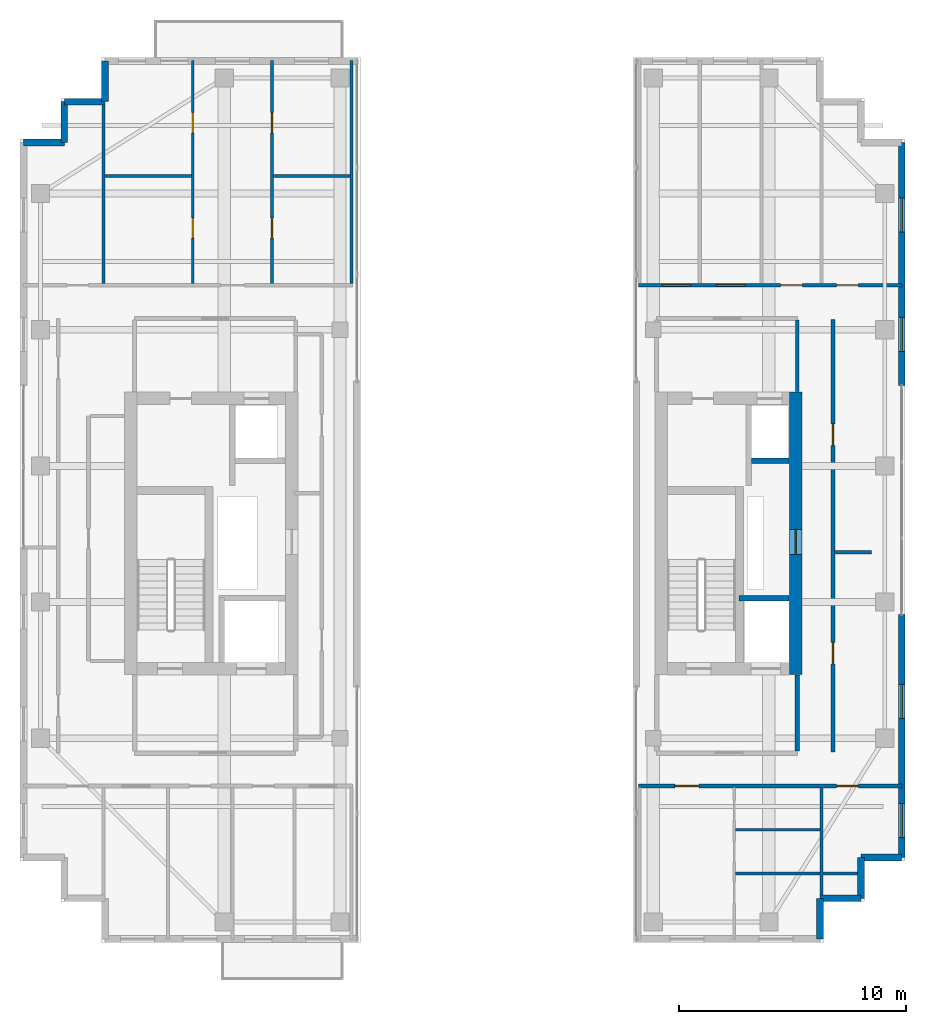
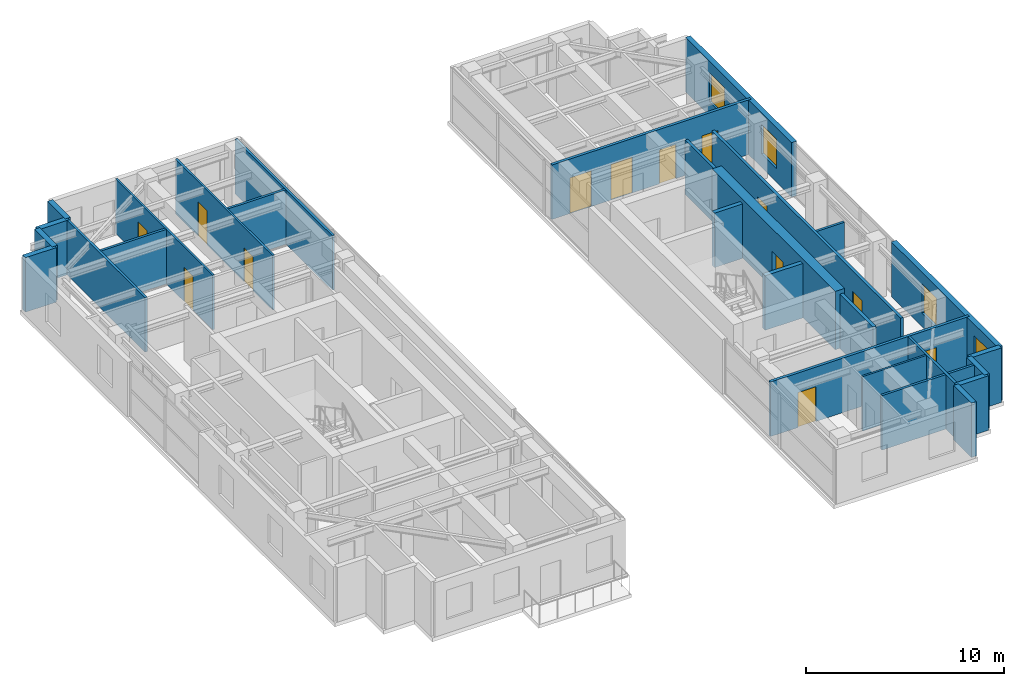
# One storey, part 19 of 22: 28 walls, 13 doors, 4 windows, 17 openings.
"""IFC4 building model written with IfcOpenShell, lengths in metres."""

from ifc_helpers import new_model, si_unit, direction, frame, frame_2d, origin, place, context, subcontext, project, spatial, rectangle, extrude, source, transform, mapped, material, layer, layer_set, type_object, element, fill, save


model = new_model("IFC4")

# Units and contexts
model_context = context("Model", 3, precision=1e-05, world=origin(), true_north=direction((0.0, 1.0)))
body_context = subcontext(model_context, "Body", "Model", "MODEL_VIEW")
ifc_project = project(units=[si_unit("LENGTHUNIT", "METRE"), si_unit("AREAUNIT", "SQUARE_METRE"), si_unit("VOLUMEUNIT", "CUBIC_METRE"), si_unit("PLANEANGLEUNIT", "RADIAN"), si_unit("MASSUNIT", "GRAM", prefix="KILO")], contexts=[model_context])

# Site, building, storey
site_placement = place(None, origin())
site = spatial("IfcSite", under=ifc_project, at=site_placement, CompositionType="ELEMENT")
building_placement = place(site_placement, origin())
building = spatial("IfcBuilding", under=site, at=building_placement, Name="Khoralis Quay Care Tower", CompositionType="ELEMENT")
storey_placement = place(building_placement, frame((0.0, 0.0, 260.10009765625)))
storey = spatial("IfcBuildingStorey", under=building, at=storey_placement, Name="L68", CompositionType="ELEMENT", Elevation=260.10009765625)

# Wall
ifc_material_1 = material(Name="Gypsum plasterboard on acoustic metal stud")
ifc_layer_1 = layer(ifc_material_1, 0.199951171875)
ifc_layer_set_1 = layer_set([ifc_layer_1], Name="Gypsum plasterboard on acoustic metal stud")
wall_type_1 = type_object("IfcWallType", Name="WL-COMP-200", PredefinedType="PARTITIONING", material=ifc_layer_set_1)
wall_1_placement = place(storey_placement, frame((37.25, 11.445068359375, 0.0), z_axis=(0.0, 0.0, 1.0), x_axis=(0.0, 1.0, 0.0)))
element("IfcWall", 1, at=wall_1_placement, inside=storey, type_object=wall_type_1, Name="L68 East Firefighting Lobby East Wall", PredefinedType="PARTITIONING", context=body_context, shape_type="SweptSolid", body=[
    extrude(rectangle(XDim=3.3349609375, YDim=0.199951171875, at=frame_2d((1.66748046875, 0.0))), origin(), (0.0, 0.0, 1.0), 3.35986328125),
])

# Wall, opening, door
ifc_material_2 = material(Name="Concrete C65/80", Category="concrete")
ifc_layer_2 = layer(ifc_material_2, 0.550048828125)
ifc_layer_set_2 = layer_set([ifc_layer_2], Name="Concrete C65/80")
wall_type_2 = type_object("IfcWallType", Name="WL-CORE-550", PredefinedType="SHEAR", material=ifc_layer_set_2)
wall_2_placement = place(storey_placement, frame((37.175048828125, 14.800048828125, 0.0), z_axis=(0.0, 0.0, 1.0), x_axis=(0.0, 1.0, 0.0)))
wall_2 = element("IfcWall", 2, at=wall_2_placement, inside=storey, type_object=wall_type_2, Name="L68 ECORE East Shear Wall", PredefinedType="SHEAR", context=body_context, shape_type="SweptSolid", body=[
    extrude(rectangle(XDim=12.449951171875, YDim=0.550048828125, at=frame_2d((6.22509765625, 0.0))), origin(), (0.0, 0.0, 1.0), 3.599853515625),
])
opening_1_placement = place(wall_2_placement, frame((5.300048828125, 0.0, 0.0)))
opening_1 = element("IfcOpeningElement", 3, at=opening_1_placement, cuts=wall_2, Name="Opening SD1", PredefinedType="OPENING", context=body_context, shape_type="SweptSolid", body=[
    extrude(rectangle(XDim=1.10009765625, YDim=2.199951171875, at=frame_2d((0.550048828125, 1.10009765625))), frame((0.0, 0.28515625, 0.0), z_axis=(0.0, -1.0, 0.0), x_axis=(1.0, 0.0, 0.0)), (0.0, 0.0, 1.0), 0.570068359375),
])
ifc_material_3 = material(Name="Fire-rated painted steel", Category="steel")
door_type_1 = type_object("IfcDoorType", Name="DR-STAIR-1100X2200", OperationType="NOTDEFINED", PredefinedType="DOOR", material=ifc_material_3)
shared_shape_1 = source(origin(), body_context, "Body", "SweptSolid", [
    extrude(rectangle(XDim=1.10009765625, YDim=2.199951171875, at=frame_2d((0.550048828125, 1.10009765625))), frame((0.0, 0.02490234375, 0.0), z_axis=(0.0, -1.0, 0.0), x_axis=(1.0, 0.0, 0.0)), (0.0, 0.0, 1.0), 0.050048828125),
])
door_1_placement = place(opening_1_placement, frame((1.10009765625, 0.0, 0.0), z_axis=(0.0, 0.0, 1.0), x_axis=(-1.0, 0.0, 0.0)))
door_1 = element("IfcDoor", 4, at=door_1_placement, inside=storey, type_object=door_type_1, Name="L68 East MEP Riser Door", OperationType="SINGLE_SWING_LEFT", OverallHeight=2.199951171875, OverallWidth=1.10009765625, PredefinedType="DOOR", context=body_context, shape_type="MappedRepresentation", body=[
    mapped(shared_shape_1, transform((0.0, 0.0, 0.0), scale=1.0)),
])
fill(opening_1, door_1)

# Wall
ifc_layer_3 = layer(ifc_material_1, 0.1650390625)
ifc_layer_set_3 = layer_set([ifc_layer_3], Name="Gypsum plasterboard on acoustic metal stud")
wall_type_3 = type_object("IfcWallType", Name="WL-CORR-165", PredefinedType="PARTITIONING", material=ifc_layer_set_3)
wall_3_placement = place(storey_placement, frame((37.25, 27.27001953125, 0.0), z_axis=(0.0, 0.0, 1.0), x_axis=(0.0, 1.0, 0.0)))
element("IfcWall", 5, at=wall_3_placement, inside=storey, type_object=wall_type_3, Name="L68 East Lift Lobby East Wall", PredefinedType="PARTITIONING", context=body_context, shape_type="SweptSolid", body=[
    extrude(rectangle(XDim=3.152587890625, YDim=0.1650390625, at=frame_2d((1.576171875, 0.0))), origin(), (0.0, 0.0, 1.0), 3.35986328125),
])

# Wall, openings, doors
wall_4_placement = place(storey_placement, frame((30.25, 9.89990234375, 0.0), z_axis=(0.0, 0.0, 1.0), x_axis=(1.0, 0.0, 0.0)))
wall_4 = element("IfcWall", 6, at=wall_4_placement, inside=storey, type_object=wall_type_3, Name="L68 East Wing South Corridor Wall", PredefinedType="PARTITIONING", context=body_context, shape_type="SweptSolid", body=[
    extrude(rectangle(XDim=11.60498046875, YDim=0.1650390625, at=frame_2d((5.802490234375, 0.0))), origin(), (0.0, 0.0, 1.0), 3.35986328125),
])
opening_2_placement = place(wall_4_placement, frame((1.610107421875, 0.0, 0.0)))
opening_2 = element("IfcOpeningElement", 7, at=opening_2_placement, cuts=wall_4, Name="Opening UD1", PredefinedType="OPENING", context=body_context, shape_type="SweptSolid", body=[
    extrude(rectangle(XDim=1.050048828125, YDim=2.14990234375, at=frame_2d((0.52490234375, 1.074951171875))), frame((0.0, 0.092529296875, 0.0), z_axis=(0.0, -1.0, 0.0), x_axis=(1.0, 0.0, 0.0)), (0.0, 0.0, 1.0), 0.18505859375),
])
opening_3_placement = place(wall_4_placement, frame((8.735107421875, 0.0, 0.0)))
opening_3 = element("IfcOpeningElement", 8, at=opening_3_placement, cuts=wall_4, Name="Opening ID1", PredefinedType="OPENING", context=body_context, shape_type="SweptSolid", body=[
    extrude(rectangle(XDim=0.949951171875, YDim=2.10009765625, at=frame_2d((0.47509765625, 1.050048828125))), frame((0.0, 0.092529296875, 0.0), z_axis=(0.0, -1.0, 0.0), x_axis=(1.0, 0.0, 0.0)), (0.0, 0.0, 1.0), 0.18505859375),
])
ifc_material_4 = material(Name="Acoustic hardwood timber", Category="wood")
door_type_2 = type_object("IfcDoorType", Name="DR-ROOM-950X2100", OperationType="NOTDEFINED", PredefinedType="DOOR", material=ifc_material_4)
shared_shape_2 = source(origin(), body_context, "Body", "SweptSolid", [
    extrude(rectangle(XDim=0.949951171875, YDim=2.10009765625, at=frame_2d((0.47509765625, 1.050048828125))), frame((0.0, 0.02490234375, 0.0), z_axis=(0.0, -1.0, 0.0), x_axis=(1.0, 0.0, 0.0)), (0.0, 0.0, 1.0), 0.050048828125),
])
door_2_placement = place(opening_3_placement, frame((0.949951171875, 0.0, 0.0), z_axis=(0.0, 0.0, 1.0), x_axis=(-1.0, 0.0, 0.0)))
door_2 = element("IfcDoor", 9, at=door_2_placement, inside=storey, type_object=door_type_2, Name="L68 SE Corner Door", OperationType="SINGLE_SWING_RIGHT", OverallHeight=2.10009765625, OverallWidth=0.949951171875, PredefinedType="DOOR", context=body_context, shape_type="MappedRepresentation", body=[
    mapped(shared_shape_2, transform((0.0, 0.0, 0.0), scale=1.0)),
])
fill(opening_3, door_2)
door_type_3 = type_object("IfcDoorType", Name="DR-SUITE-1050X2150", OperationType="NOTDEFINED", PredefinedType="DOOR", material=ifc_material_4)
shared_shape_3 = source(origin(), body_context, "Body", "SweptSolid", [
    extrude(rectangle(XDim=1.050048828125, YDim=2.14990234375, at=frame_2d((0.52490234375, 1.074951171875))), frame((0.0, 0.02490234375, 0.0), z_axis=(0.0, -1.0, 0.0), x_axis=(1.0, 0.0, 0.0)), (0.0, 0.0, 1.0), 0.050048828125),
])
door_3_placement = place(opening_2_placement, frame((1.050048828125, 0.0, 0.0), z_axis=(0.0, 0.0, 1.0), x_axis=(-1.0, 0.0, 0.0)))
door_3 = element("IfcDoor", 10, at=door_3_placement, inside=storey, type_object=door_type_3, Name="L68 Apartment ES0 Entrance Door", OperationType="SINGLE_SWING_LEFT", OverallHeight=2.14990234375, OverallWidth=1.050048828125, PredefinedType="DOOR", context=body_context, shape_type="MappedRepresentation", body=[
    mapped(shared_shape_3, transform((0.0, 0.0, 0.0), scale=1.0)),
])
fill(opening_2, door_3)

wall_5_placement = place(storey_placement, frame((30.25, 31.9599609375, 0.0), z_axis=(0.0, 0.0, 1.0), x_axis=(1.0, 0.0, 0.0)))
wall_5 = element("IfcWall", 11, at=wall_5_placement, inside=storey, type_object=wall_type_3, Name="L68 East Wing North Corridor Wall", PredefinedType="PARTITIONING", context=body_context, shape_type="SweptSolid", body=[
    extrude(rectangle(XDim=11.60498046875, YDim=0.1650390625, at=frame_2d((5.802490234375, 0.0))), origin(), (0.0, 0.0, 1.0), 3.35986328125),
])
opening_4_placement = place(wall_5_placement, frame((1.050048828125, 0.0, 0.0)))
opening_4 = element("IfcOpeningElement", 12, at=opening_4_placement, cuts=wall_5, Name="Opening CD1", PredefinedType="OPENING", context=body_context, shape_type="SweptSolid", body=[
    extrude(rectangle(XDim=1.25, YDim=2.199951171875, at=frame_2d((0.625, 1.10009765625))), frame((0.0, 0.092529296875, 0.0), z_axis=(0.0, -1.0, 0.0), x_axis=(1.0, 0.0, 0.0)), (0.0, 0.0, 1.0), 0.18505859375),
])
opening_5_placement = place(wall_5_placement, frame((3.43505859375, 0.0, 0.0)))
opening_5 = element("IfcOpeningElement", 13, at=opening_5_placement, cuts=wall_5, Name="Opening CD1", PredefinedType="OPENING", context=body_context, shape_type="SweptSolid", body=[
    extrude(rectangle(XDim=1.25, YDim=2.199951171875, at=frame_2d((0.625, 1.10009765625))), frame((0.0, 0.092529296875, 0.0), z_axis=(0.0, -1.0, 0.0), x_axis=(1.0, 0.0, 0.0)), (0.0, 0.0, 1.0), 0.18505859375),
])
opening_6_placement = place(wall_5_placement, frame((6.27001953125, 0.0, 0.0)))
opening_6 = element("IfcOpeningElement", 14, at=opening_6_placement, cuts=wall_5, Name="Opening ID1", PredefinedType="OPENING", context=body_context, shape_type="SweptSolid", body=[
    extrude(rectangle(XDim=0.949951171875, YDim=2.10009765625, at=frame_2d((0.47509765625, 1.050048828125))), frame((0.0, 0.092529296875, 0.0), z_axis=(0.0, -1.0, 0.0), x_axis=(1.0, 0.0, 0.0)), (0.0, 0.0, 1.0), 0.18505859375),
])
opening_7_placement = place(wall_5_placement, frame((8.735107421875, 0.0, 0.0)))
opening_7 = element("IfcOpeningElement", 15, at=opening_7_placement, cuts=wall_5, Name="Opening ID1", PredefinedType="OPENING", context=body_context, shape_type="SweptSolid", body=[
    extrude(rectangle(XDim=0.949951171875, YDim=2.10009765625, at=frame_2d((0.47509765625, 1.050048828125))), frame((0.0, 0.092529296875, 0.0), z_axis=(0.0, -1.0, 0.0), x_axis=(1.0, 0.0, 0.0)), (0.0, 0.0, 1.0), 0.18505859375),
])
door_type_4 = type_object("IfcDoorType", Name="DR-CARE-1250X2200", OperationType="NOTDEFINED", PredefinedType="DOOR", material=ifc_material_4)
shared_shape_4 = source(origin(), body_context, "Body", "SweptSolid", [
    extrude(rectangle(XDim=1.25, YDim=2.199951171875, at=frame_2d((0.625, 1.10009765625))), frame((0.0, 0.02490234375, 0.0), z_axis=(0.0, -1.0, 0.0), x_axis=(1.0, 0.0, 0.0)), (0.0, 0.0, 1.0), 0.050048828125),
])
door_4_placement = place(opening_4_placement, origin())
door_4 = element("IfcDoor", 16, at=door_4_placement, inside=storey, type_object=door_type_4, Name="L68 Physiotherapy Treatment Clinic Door", OperationType="SINGLE_SWING_LEFT", OverallHeight=2.199951171875, OverallWidth=1.25, PredefinedType="DOOR", context=body_context, shape_type="MappedRepresentation", body=[
    mapped(shared_shape_4, transform((0.0, 0.0, 0.0), scale=1.0)),
])
fill(opening_4, door_4)
door_5_placement = place(opening_5_placement, origin())
door_5 = element("IfcDoor", 17, at=door_5_placement, inside=storey, type_object=door_type_4, Name="L68 Geriatric Consultation Clinic Door", OperationType="SINGLE_SWING_RIGHT", OverallHeight=2.199951171875, OverallWidth=1.25, PredefinedType="DOOR", context=body_context, shape_type="MappedRepresentation", body=[
    mapped(shared_shape_4, transform((0.0, 0.0, 0.0), scale=1.0)),
])
fill(opening_5, door_5)
door_6_placement = place(opening_6_placement, origin())
door_6 = element("IfcDoor", 18, at=door_6_placement, inside=storey, type_object=door_type_2, Name="L68 Care Coordination Office Door", OperationType="SINGLE_SWING_RIGHT", OverallHeight=2.10009765625, OverallWidth=0.949951171875, PredefinedType="DOOR", context=body_context, shape_type="MappedRepresentation", body=[
    mapped(shared_shape_2, transform((0.0, 0.0, 0.0), scale=1.0)),
])
fill(opening_6, door_6)
door_7_placement = place(opening_7_placement, origin())
door_7 = element("IfcDoor", 19, at=door_7_placement, inside=storey, type_object=door_type_2, Name="L68 NE Corner Door", OperationType="SINGLE_SWING_LEFT", OverallHeight=2.10009765625, OverallWidth=0.949951171875, PredefinedType="DOOR", context=body_context, shape_type="MappedRepresentation", body=[
    mapped(shared_shape_2, transform((0.0, 0.0, 0.0), scale=1.0)),
])
fill(opening_7, door_7)

wall_6_placement = place(storey_placement, frame((38.820068359375, 11.39990234375, 0.0), z_axis=(0.0, 0.0, 1.0), x_axis=(0.0, 1.0, 0.0)))
wall_6 = element("IfcWall", 20, at=wall_6_placement, inside=storey, type_object=wall_type_3, Name="L68 East High-Rise Suite Wall", PredefinedType="PARTITIONING", context=body_context, shape_type="SweptSolid", body=[
    extrude(rectangle(XDim=19.050048828125, YDim=0.1650390625, at=frame_2d((9.52490234375, 0.0))), origin(), (0.0, 0.0, 1.0), 3.35986328125),
])
opening_8_placement = place(wall_6_placement, frame((3.875, 0.0, 0.0)))
opening_8 = element("IfcOpeningElement", 21, at=opening_8_placement, cuts=wall_6, Name="Opening ID1", PredefinedType="OPENING", context=body_context, shape_type="SweptSolid", body=[
    extrude(rectangle(XDim=0.949951171875, YDim=2.10009765625, at=frame_2d((0.47509765625, 1.050048828125))), frame((0.0, 0.092529296875, 0.0), z_axis=(0.0, -1.0, 0.0), x_axis=(1.0, 0.0, 0.0)), (0.0, 0.0, 1.0), 0.18505859375),
])
opening_9_placement = place(wall_6_placement, frame((13.5, 0.0, 0.0)))
opening_9 = element("IfcOpeningElement", 22, at=opening_9_placement, cuts=wall_6, Name="Opening ID1", PredefinedType="OPENING", context=body_context, shape_type="SweptSolid", body=[
    extrude(rectangle(XDim=0.949951171875, YDim=2.10009765625, at=frame_2d((0.47509765625, 1.050048828125))), frame((0.0, 0.092529296875, 0.0), z_axis=(0.0, -1.0, 0.0), x_axis=(1.0, 0.0, 0.0)), (0.0, 0.0, 1.0), 0.18505859375),
])
door_8_placement = place(opening_8_placement, origin())
door_8 = element("IfcDoor", 23, at=door_8_placement, inside=storey, type_object=door_type_2, Name="L68 East High-Rise Sun Lounge Door", OperationType="SINGLE_SWING_LEFT", OverallHeight=2.10009765625, OverallWidth=0.949951171875, PredefinedType="DOOR", context=body_context, shape_type="MappedRepresentation", body=[
    mapped(shared_shape_2, transform((0.0, 0.0, 0.0), scale=1.0)),
])
fill(opening_8, door_8)
door_9_placement = place(opening_9_placement, origin())
door_9 = element("IfcDoor", 24, at=door_9_placement, inside=storey, type_object=door_type_2, Name="L68 East High-Rise Reading Suite Door", OperationType="SINGLE_SWING_RIGHT", OverallHeight=2.10009765625, OverallWidth=0.949951171875, PredefinedType="DOOR", context=body_context, shape_type="MappedRepresentation", body=[
    mapped(shared_shape_2, transform((0.0, 0.0, 0.0), scale=1.0)),
])
fill(opening_9, door_9)

# Walls
ifc_material_5 = material(Name="Precast concrete C45/55", Category="concrete")
ifc_layer_4 = layer(ifc_material_5, 0.300048828125)
ifc_layer_set_4 = layer_set([ifc_layer_4], Name="Precast concrete C45/55")
wall_type_4 = type_object("IfcWallType", Name="WL-EXT-REF-300", PredefinedType="SOLIDWALL", material=ifc_layer_set_4)
for number, where, z_axis, x_axis, name in (
    (25, (6.75, 41.85009765625, 0.0), (0.0, 0.0, 1.0), (0.0, -1.0, 0.0), "L68 External Facade Wall WL-EXT-L68-P1-C3"),
    (26, (6.75, 40.050048828125, 0.0), (0.0, 0.0, 1.0), (-1.0, 0.0, 0.0), "L68 External Facade Wall WL-EXT-L68-P1-C4"),
    (27, (4.949951171875, 40.050048828125, 0.0), (0.0, 0.0, 1.0), (0.0, -1.0, 0.0), "L68 External Facade Wall WL-EXT-L68-P1-C5"),
    (28, (4.949951171875, 38.25, 0.0), (0.0, 0.0, 1.0), (-1.0, 0.0, 0.0), "L68 External Facade Wall WL-EXT-L68-P1-C6"),
    (29, (38.25, 3.14990234375, 0.0), (0.0, 0.0, 1.0), (0.0, 1.0, 0.0), "L68 External Facade Wall WL-EXT-L68-P2-C1"),
    (30, (38.25, 4.949951171875, 0.0), (0.0, 0.0, 1.0), (1.0, 0.0, 0.0), "L68 External Facade Wall WL-EXT-L68-P2-C2"),
    (31, (40.050048828125, 4.949951171875, 0.0), (0.0, 0.0, 1.0), (0.0, 1.0, 0.0), "L68 External Facade Wall WL-EXT-L68-P2-C3"),
    (32, (40.050048828125, 6.75, 0.0), (0.0, 0.0, 1.0), (1.0, 0.0, 0.0), "L68 External Facade Wall WL-EXT-L68-P2-C4"),
):
    element("IfcWall", number, at=place(storey_placement, frame(where, z_axis=z_axis, x_axis=x_axis)), inside=storey, type_object=wall_type_4, Name=name, PredefinedType="SOLIDWALL", context=body_context, shape_type="SweptSolid", body=[
        extrude(rectangle(XDim=1.800048828125, YDim=0.300048828125, at=frame_2d((0.89990234375, 0.0))), origin(), (0.0, 0.0, 1.0), 3.35986328125),
    ])

# Wall, openings, windows
wall_7_placement = place(storey_placement, frame((41.85009765625, 6.75, 0.0), z_axis=(0.0, 0.0, 1.0), x_axis=(0.0, 1.0, 0.0)))
wall_7 = element("IfcWall", 33, at=wall_7_placement, inside=storey, type_object=wall_type_4, Name="L68 External Facade Wall WL-EXT-L68-P2-E5A", PredefinedType="SOLIDWALL", context=body_context, shape_type="SweptSolid", body=[
    extrude(rectangle(XDim=10.7099609375, YDim=0.300048828125, at=frame_2d((5.35498046875, 0.0))), origin(), (0.0, 0.0, 1.0), 3.35986328125),
])
opening_10_placement = place(wall_7_placement, frame((0.875, 0.0, 0.85009765625)))
opening_10 = element("IfcOpeningElement", 34, at=opening_10_placement, cuts=wall_7, Name="Opening W3", PredefinedType="OPENING", context=body_context, shape_type="SweptSolid", body=[
    extrude(rectangle(XDim=1.5, YDim=1.800048828125, at=frame_2d((0.75, 0.89990234375))), frame((0.0, 0.16015625, 0.0), z_axis=(0.0, -1.0, 0.0), x_axis=(1.0, 0.0, 0.0)), (0.0, 0.0, 1.0), 0.320068359375),
])
opening_11_placement = place(wall_7_placement, frame((6.1298828125, 0.0, 0.85009765625)))
opening_11 = element("IfcOpeningElement", 35, at=opening_11_placement, cuts=wall_7, Name="Opening W3", PredefinedType="OPENING", context=body_context, shape_type="SweptSolid", body=[
    extrude(rectangle(XDim=1.5, YDim=1.800048828125, at=frame_2d((0.75, 0.89990234375))), frame((0.0, 0.16015625, 0.0), z_axis=(0.0, -1.0, 0.0), x_axis=(1.0, 0.0, 0.0)), (0.0, 0.0, 1.0), 0.320068359375),
])
ifc_material_6 = material(Name="Low-E solar-control double glazing", Category="glass")
window_type = type_object("IfcWindowType", Name="WN-CLIN-1500X1800", PartitioningType="SINGLE_PANEL", PredefinedType="WINDOW", material=ifc_material_6)
shared_shape_5 = source(origin(), body_context, "Body", "SweptSolid", [
    extrude(rectangle(XDim=1.5, YDim=1.800048828125, at=frame_2d((0.75, 0.89990234375))), frame((0.0, 0.030029296875, 0.0), z_axis=(0.0, -1.0, 0.0), x_axis=(1.0, 0.0, 0.0)), (0.0, 0.0, 1.0), 0.06005859375),
])
window_1_placement = place(opening_10_placement, origin())
window_1 = element("IfcWindow", 36, at=window_1_placement, inside=storey, type_object=window_type, Name="WN-L68-P2-E5A Facade Window 01", OverallHeight=1.800048828125, OverallWidth=1.5, PartitioningType="SINGLE_PANEL", PredefinedType="WINDOW", context=body_context, shape_type="MappedRepresentation", body=[
    mapped(shared_shape_5, transform((0.0, 0.0, 0.0), scale=1.0)),
])
fill(opening_10, window_1)
window_2_placement = place(opening_11_placement, origin())
window_2 = element("IfcWindow", 37, at=window_2_placement, inside=storey, type_object=window_type, Name="WN-L68-P2-E5A Facade Window 02", OverallHeight=1.800048828125, OverallWidth=1.5, PartitioningType="SINGLE_PANEL", PredefinedType="WINDOW", context=body_context, shape_type="MappedRepresentation", body=[
    mapped(shared_shape_5, transform((0.0, 0.0, 0.0), scale=1.0)),
])
fill(opening_11, window_2)

wall_8_placement = place(storey_placement, frame((41.85009765625, 27.5400390625, 0.0), z_axis=(0.0, 0.0, 1.0), x_axis=(0.0, 1.0, 0.0)))
wall_8 = element("IfcWall", 38, at=wall_8_placement, inside=storey, type_object=wall_type_4, Name="L68 External Facade Wall WL-EXT-L68-P2-E5B", PredefinedType="SOLIDWALL", context=body_context, shape_type="SweptSolid", body=[
    extrude(rectangle(XDim=10.7099609375, YDim=0.300048828125, at=frame_2d((5.35498046875, 0.0))), origin(), (0.0, 0.0, 1.0), 3.35986328125),
])
opening_12_placement = place(wall_8_placement, frame((1.510009765625, 0.0, 0.85009765625)))
opening_12 = element("IfcOpeningElement", 39, at=opening_12_placement, cuts=wall_8, Name="Opening W3", PredefinedType="OPENING", context=body_context, shape_type="SweptSolid", body=[
    extrude(rectangle(XDim=1.5, YDim=1.800048828125, at=frame_2d((0.75, 0.89990234375))), frame((0.0, 0.16015625, 0.0), z_axis=(0.0, -1.0, 0.0), x_axis=(1.0, 0.0, 0.0)), (0.0, 0.0, 1.0), 0.320068359375),
])
opening_13_placement = place(wall_8_placement, frame((6.764892578125, 0.0, 0.85009765625)))
opening_13 = element("IfcOpeningElement", 40, at=opening_13_placement, cuts=wall_8, Name="Opening W3", PredefinedType="OPENING", context=body_context, shape_type="SweptSolid", body=[
    extrude(rectangle(XDim=1.5, YDim=1.800048828125, at=frame_2d((0.75, 0.89990234375))), frame((0.0, 0.16015625, 0.0), z_axis=(0.0, -1.0, 0.0), x_axis=(1.0, 0.0, 0.0)), (0.0, 0.0, 1.0), 0.320068359375),
])
window_3_placement = place(opening_12_placement, origin())
window_3 = element("IfcWindow", 41, at=window_3_placement, inside=storey, type_object=window_type, Name="WN-L68-P2-E5B Facade Window 01", OverallHeight=1.800048828125, OverallWidth=1.5, PartitioningType="SINGLE_PANEL", PredefinedType="WINDOW", context=body_context, shape_type="MappedRepresentation", body=[
    mapped(shared_shape_5, transform((0.0, 0.0, 0.0), scale=1.0)),
])
fill(opening_12, window_3)
window_4_placement = place(opening_13_placement, origin())
window_4 = element("IfcWindow", 42, at=window_4_placement, inside=storey, type_object=window_type, Name="WN-L68-P2-E5B Facade Window 02", OverallHeight=1.800048828125, OverallWidth=1.5, PartitioningType="SINGLE_PANEL", PredefinedType="WINDOW", context=body_context, shape_type="MappedRepresentation", body=[
    mapped(shared_shape_5, transform((0.0, 0.0, 0.0), scale=1.0)),
])
fill(opening_13, window_4)

# Wall, openings, doors
ifc_layer_5 = layer(ifc_material_1, 0.114990234375)
ifc_layer_set_5 = layer_set([ifc_layer_5], Name="Gypsum plasterboard on acoustic metal stud")
wall_type_5 = type_object("IfcWallType", Name="WL-PART-115", PredefinedType="PARTITIONING", material=ifc_layer_set_5)
wall_9_placement = place(storey_placement, frame((10.611083984375, 32.03759765625, 0.0), z_axis=(0.0, 0.0, 1.0), x_axis=(0.0, 1.0, 0.0)))
wall_9 = element("IfcWall", 43, at=wall_9_placement, inside=storey, type_object=wall_type_5, Name="L68 2BR 0 Left Wall", PredefinedType="PARTITIONING", context=body_context, shape_type="SweptSolid", body=[
    extrude(rectangle(XDim=9.8173828125, YDim=0.114990234375, at=frame_2d((4.90869140625, 0.0))), origin(), (0.0, 0.0, 1.0), 3.35986328125),
])
opening_14_placement = place(wall_9_placement, frame((6.626953125, 0.0, 0.0)))
opening_14 = element("IfcOpeningElement", 44, at=opening_14_placement, cuts=wall_9, Name="Opening WD1", PredefinedType="OPENING", context=body_context, shape_type="SweptSolid", body=[
    extrude(rectangle(XDim=0.89990234375, YDim=2.10009765625, at=frame_2d((0.449951171875, 1.050048828125))), frame((0.0, 0.0673828125, 0.0), z_axis=(0.0, -1.0, 0.0), x_axis=(1.0, 0.0, 0.0)), (0.0, 0.0, 1.0), 0.135009765625),
])
opening_15_placement = place(wall_9_placement, frame((1.9970703125, 0.0, 0.0)))
opening_15 = element("IfcOpeningElement", 45, at=opening_15_placement, cuts=wall_9, Name="Opening WD1", PredefinedType="OPENING", context=body_context, shape_type="SweptSolid", body=[
    extrude(rectangle(XDim=0.89990234375, YDim=2.10009765625, at=frame_2d((0.449951171875, 1.050048828125))), frame((0.0, 0.0673828125, 0.0), z_axis=(0.0, -1.0, 0.0), x_axis=(1.0, 0.0, 0.0)), (0.0, 0.0, 1.0), 0.135009765625),
])
door_type_5 = type_object("IfcDoorType", Name="DR-BATH-900X2100", OperationType="NOTDEFINED", PredefinedType="DOOR", material=ifc_material_4)
shared_shape_6 = source(origin(), body_context, "Body", "SweptSolid", [
    extrude(rectangle(XDim=0.89990234375, YDim=2.10009765625, at=frame_2d((0.449951171875, 1.050048828125))), frame((0.0, 0.02490234375, 0.0), z_axis=(0.0, -1.0, 0.0), x_axis=(1.0, 0.0, 0.0)), (0.0, 0.0, 1.0), 0.050048828125),
])
door_10_placement = place(opening_14_placement, origin())
door_10 = element("IfcDoor", 46, at=door_10_placement, inside=storey, type_object=door_type_5, Name="L68 2BR BD1 Door", OperationType="SINGLE_SWING_RIGHT", OverallHeight=2.10009765625, OverallWidth=0.89990234375, PredefinedType="DOOR", context=body_context, shape_type="MappedRepresentation", body=[
    mapped(shared_shape_6, transform((0.0, 0.0, 0.0), scale=1.0)),
])
fill(opening_14, door_10)
door_11_placement = place(opening_15_placement, origin())
door_11 = element("IfcDoor", 47, at=door_11_placement, inside=storey, type_object=door_type_5, Name="L68 2BR BTH Door", OperationType="SINGLE_SWING_LEFT", OverallHeight=2.10009765625, OverallWidth=0.89990234375, PredefinedType="DOOR", context=body_context, shape_type="MappedRepresentation", body=[
    mapped(shared_shape_6, transform((0.0, 0.0, 0.0), scale=1.0)),
])
fill(opening_15, door_11)

wall_10_placement = place(storey_placement, frame((14.10595703125, 32.03759765625, 0.0), z_axis=(0.0, 0.0, 1.0), x_axis=(0.0, 1.0, 0.0)))
wall_10 = element("IfcWall", 48, at=wall_10_placement, inside=storey, type_object=wall_type_5, Name="L68 2BR 0 Right Wall", PredefinedType="PARTITIONING", context=body_context, shape_type="SweptSolid", body=[
    extrude(rectangle(XDim=9.8173828125, YDim=0.114990234375, at=frame_2d((4.90869140625, 0.0))), origin(), (0.0, 0.0, 1.0), 3.35986328125),
])
opening_16_placement = place(wall_10_placement, frame((6.626953125, 0.0, 0.0)))
opening_16 = element("IfcOpeningElement", 49, at=opening_16_placement, cuts=wall_10, Name="Opening WD1", PredefinedType="OPENING", context=body_context, shape_type="SweptSolid", body=[
    extrude(rectangle(XDim=0.89990234375, YDim=2.10009765625, at=frame_2d((0.449951171875, 1.050048828125))), frame((0.0, 0.0673828125, 0.0), z_axis=(0.0, -1.0, 0.0), x_axis=(1.0, 0.0, 0.0)), (0.0, 0.0, 1.0), 0.135009765625),
])
opening_17_placement = place(wall_10_placement, frame((1.9970703125, 0.0, 0.0)))
opening_17 = element("IfcOpeningElement", 50, at=opening_17_placement, cuts=wall_10, Name="Opening WD1", PredefinedType="OPENING", context=body_context, shape_type="SweptSolid", body=[
    extrude(rectangle(XDim=0.89990234375, YDim=2.10009765625, at=frame_2d((0.449951171875, 1.050048828125))), frame((0.0, 0.0673828125, 0.0), z_axis=(0.0, -1.0, 0.0), x_axis=(1.0, 0.0, 0.0)), (0.0, 0.0, 1.0), 0.135009765625),
])
door_12_placement = place(opening_16_placement, frame((0.89990234375, 0.0, 0.0), z_axis=(0.0, 0.0, 1.0), x_axis=(-1.0, 0.0, 0.0)))
door_12 = element("IfcDoor", 51, at=door_12_placement, inside=storey, type_object=door_type_5, Name="L68 2BR BD2 Door", OperationType="SINGLE_SWING_RIGHT", OverallHeight=2.10009765625, OverallWidth=0.89990234375, PredefinedType="DOOR", context=body_context, shape_type="MappedRepresentation", body=[
    mapped(shared_shape_6, transform((0.0, 0.0, 0.0), scale=1.0)),
])
fill(opening_16, door_12)
door_13_placement = place(opening_17_placement, frame((0.89990234375, 0.0, 0.0), z_axis=(0.0, 0.0, 1.0), x_axis=(-1.0, 0.0, 0.0)))
door_13 = element("IfcDoor", 52, at=door_13_placement, inside=storey, type_object=door_type_5, Name="L68 2BR KIT Door", OperationType="SINGLE_SWING_LEFT", OverallHeight=2.10009765625, OverallWidth=0.89990234375, PredefinedType="DOOR", context=body_context, shape_type="MappedRepresentation", body=[
    mapped(shared_shape_6, transform((0.0, 0.0, 0.0), scale=1.0)),
])
fill(opening_17, door_13)

# Walls
wall_11_placement = place(storey_placement, frame((34.5224609375, 7.968017578125, 0.0), z_axis=(0.0, 0.0, 1.0), x_axis=(1.0, 0.0, 0.0)))
element("IfcWall", 53, at=wall_11_placement, inside=storey, type_object=wall_type_5, Name="L68 Unit 0 Kitchen Wall", PredefinedType="PARTITIONING", context=body_context, shape_type="SweptSolid", body=[
    extrude(rectangle(XDim=3.732421875, YDim=0.114990234375, at=frame_2d((1.8662109375, 0.0))), origin(), (0.0, 0.0, 1.0), 3.35986328125),
])
ifc_material_7 = material(Name="Moisture-resistant gypsum and ceramic tile")
ifc_layer_6 = layer(ifc_material_7, 0.280029296875)
ifc_layer_set_6 = layer_set([ifc_layer_6], Name="Moisture-resistant gypsum and ceramic tile")
wall_type_6 = type_object("IfcWallType", Name="WL-PLUMB-280", PredefinedType="PLUMBINGWALL", material=ifc_layer_set_6)
wall_12_placement = place(storey_placement, frame((6.7451171875, 36.779052734375, 0.0), z_axis=(0.0, 0.0, 1.0), x_axis=(1.0, 0.0, 0.0)))
element("IfcWall", 54, at=wall_12_placement, inside=storey, type_object=wall_type_6, Name="L68 2BR 0 Left Split", PredefinedType="PLUMBINGWALL", context=body_context, shape_type="SweptSolid", body=[
    extrude(rectangle(XDim=3.8134765625, YDim=0.139892578125, at=frame_2d((1.90673828125, 0.0))), origin(), (0.0, 0.0, 1.0), 3.35986328125),
])
wall_13_placement = place(storey_placement, frame((14.158447265625, 36.779052734375, 0.0), z_axis=(0.0, 0.0, 1.0), x_axis=(1.0, 0.0, 0.0)))
element("IfcWall", 55, at=wall_13_placement, inside=storey, type_object=wall_type_6, Name="L68 2BR 0 Right Split", PredefinedType="PLUMBINGWALL", context=body_context, shape_type="SweptSolid", body=[
    extrude(rectangle(XDim=3.37646484375, YDim=0.139892578125, at=frame_2d((1.688232421875, 0.0))), origin(), (0.0, 0.0, 1.0), 3.35986328125),
])
wall_14_placement = place(storey_placement, frame((34.5224609375, 6.035888671875, 0.0), z_axis=(0.0, 0.0, 1.0), x_axis=(1.0, 0.0, 0.0)))
element("IfcWall", 56, at=wall_14_placement, inside=storey, type_object=wall_type_6, Name="L68 Unit 0 Wet Wall", PredefinedType="PLUMBINGWALL", context=body_context, shape_type="SweptSolid", body=[
    extrude(rectangle(XDim=5.532470703125, YDim=0.139892578125, at=frame_2d((2.76611328125, 0.0))), origin(), (0.0, 0.0, 1.0), 3.35986328125),
])
ifc_layer_7 = layer(ifc_material_1, 0.239990234375)
ifc_layer_set_7 = layer_set([ifc_layer_7], Name="Gypsum plasterboard on acoustic metal stud")
wall_type_7 = type_object("IfcWallType", Name="WL-SHAFT-240", PredefinedType="PARTITIONING", material=ifc_layer_set_7)
wall_15_placement = place(storey_placement, frame((34.679931640625, 18.169921875, 0.0), z_axis=(0.0, 0.0, 1.0), x_axis=(1.0, 0.0, 0.0)))
element("IfcWall", 57, at=wall_15_placement, inside=storey, type_object=wall_type_7, Name="L68 FFL-2 Shaft Wall North", PredefinedType="PARTITIONING", context=body_context, shape_type="SweptSolid", body=[
    extrude(rectangle(XDim=2.199951171875, YDim=0.239990234375, at=frame_2d((1.10009765625, 0.0))), origin(), (0.0, 0.0, 1.0), 3.35986328125),
])
wall_16_placement = place(storey_placement, frame((35.22509765625, 24.22998046875, 0.0), z_axis=(0.0, 0.0, 1.0), x_axis=(1.0, 0.0, 0.0)))
element("IfcWall", 58, at=wall_16_placement, inside=storey, type_object=wall_type_7, Name="L68 High-Rise Shaft South Wall East", PredefinedType="PARTITIONING", context=body_context, shape_type="SweptSolid", body=[
    extrude(rectangle(XDim=1.65478515625, YDim=0.239990234375, at=frame_2d((0.827392578125, 0.0))), origin(), (0.0, 0.0, 1.0), 3.35986328125),
])
ifc_layer_8 = layer(ifc_material_1, 0.139892578125)
ifc_layer_set_8 = layer_set([ifc_layer_8], Name="Gypsum plasterboard on acoustic metal stud")
wall_type_8 = type_object("IfcWallType", Name="WL-UNIT-140", PredefinedType="PARTITIONING", material=ifc_layer_set_8)
wall_17_placement = place(storey_placement, frame((38.8974609375, 20.199951171875, 0.0), z_axis=(0.0, 0.0, 1.0), x_axis=(1.0, 0.0, 0.0)))
element("IfcWall", 59, at=wall_17_placement, inside=storey, type_object=wall_type_8, Name="L68 East High-Rise Split", PredefinedType="PARTITIONING", context=body_context, shape_type="SweptSolid", body=[
    extrude(rectangle(XDim=1.62255859375, YDim=0.139892578125, at=frame_2d((0.811279296875, 0.0))), origin(), (0.0, 0.0, 1.0), 3.35986328125),
])
wall_18_placement = place(storey_placement, frame((6.679931640625, 32.03759765625, 0.0), z_axis=(0.0, 0.0, 1.0), x_axis=(0.0, 1.0, 0.0)))
element("IfcWall", 60, at=wall_18_placement, inside=storey, type_object=wall_type_8, Name="L68 WN Demising Wall 0", PredefinedType="PARTITIONING", context=body_context, shape_type="SweptSolid", body=[
    extrude(rectangle(XDim=8.017333984375, YDim=0.139892578125, at=frame_2d((4.0087890625, 0.0))), origin(), (0.0, 0.0, 1.0), 3.35986328125),
])
wall_19_placement = place(storey_placement, frame((17.60009765625, 32.03759765625, 0.0), z_axis=(0.0, 0.0, 1.0), x_axis=(0.0, 1.0, 0.0)))
element("IfcWall", 61, at=wall_19_placement, inside=storey, type_object=wall_type_8, Name="L68 WN Demising Wall 1", PredefinedType="PARTITIONING", context=body_context, shape_type="SweptSolid", body=[
    extrude(rectangle(XDim=9.8173828125, YDim=0.139892578125, at=frame_2d((4.90869140625, 0.0))), origin(), (0.0, 0.0, 1.0), 3.35986328125),
])
wall_20_placement = place(storey_placement, frame((38.320068359375, 4.945068359375, 0.0), z_axis=(0.0, 0.0, 1.0), x_axis=(0.0, 1.0, 0.0)))
element("IfcWall", 62, at=wall_20_placement, inside=storey, type_object=wall_type_8, Name="L68 ES Demising Wall 1", PredefinedType="PARTITIONING", context=body_context, shape_type="SweptSolid", body=[
    extrude(rectangle(XDim=4.87744140625, YDim=0.139892578125, at=frame_2d((2.438720703125, 0.0))), origin(), (0.0, 0.0, 1.0), 3.35986328125),
])

save(model, "model.ifc")
